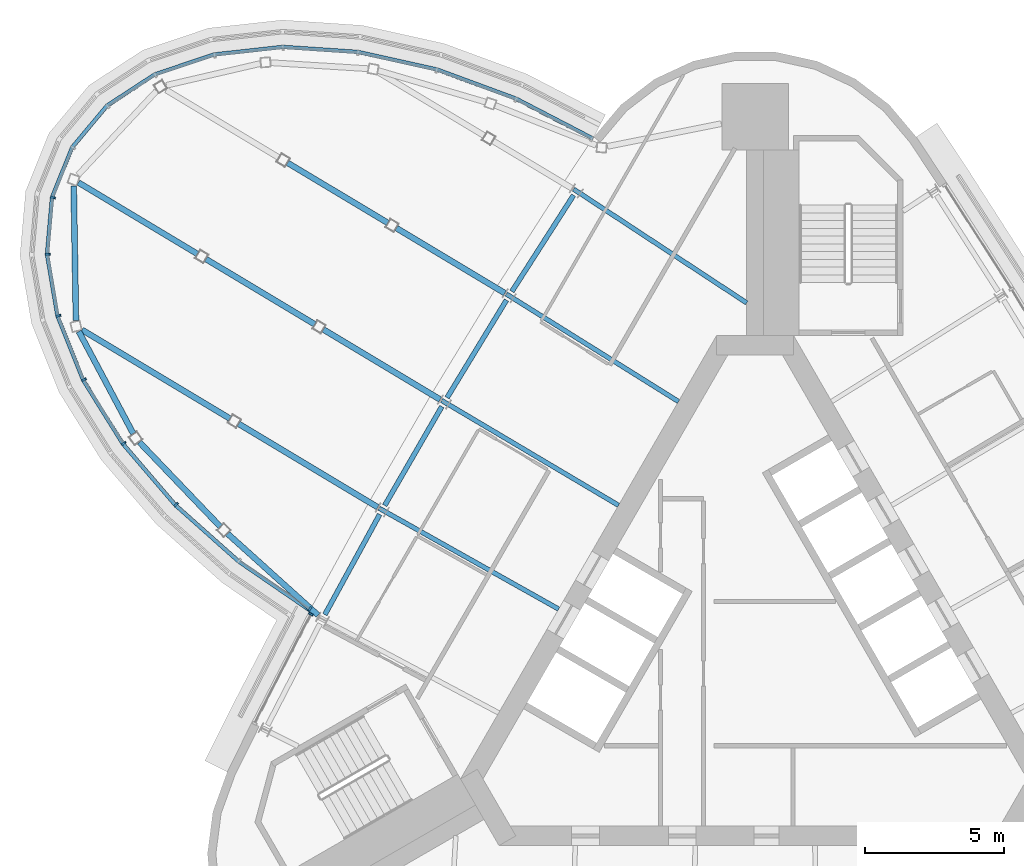
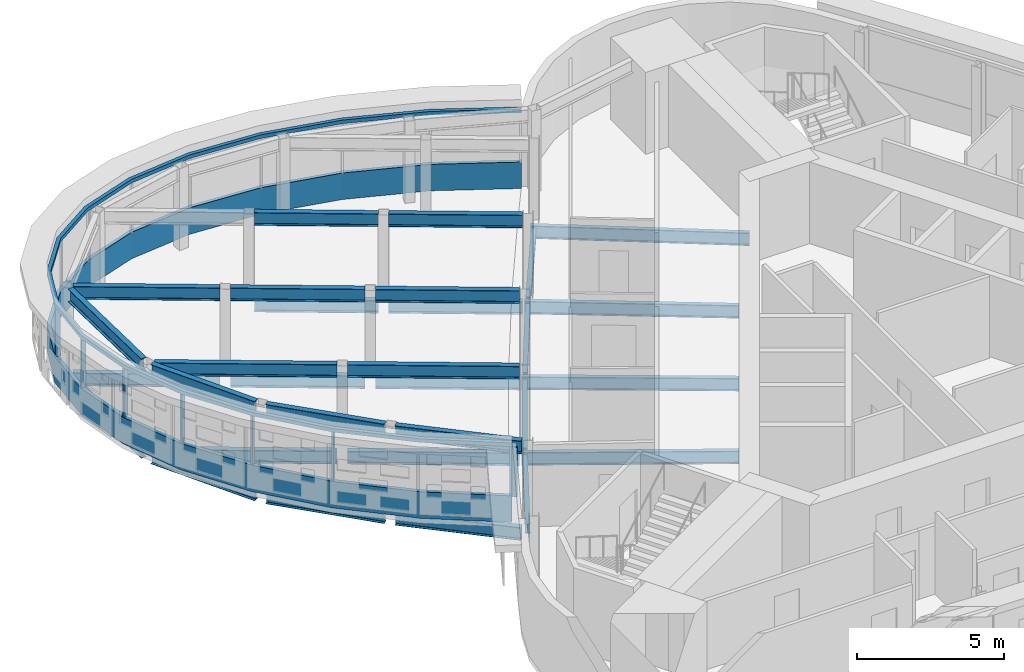
# One storey, part 5 of 13: 30 beams, 10 members, 2 elements without a shape of their own.
"""IFC4 building model written with IfcOpenShell, lengths in metres."""

from ifc_helpers import new_model, si_unit, direction, frame, origin, origin_2d, place, context, subcontext, project, spatial, polyline, rectangle, i_section, outline, extrude, material, material_profile, profile_set, type_object, element, aggregate, save


model = new_model("IFC4")

# Units and contexts
model_context = context("Model", 3, precision=1e-05, world=origin(), true_north=direction((0.0, 1.0)))
body_context = subcontext(model_context, "Body", "Model", "MODEL_VIEW")
ifc_project = project(units=[si_unit("LENGTHUNIT", "METRE"), si_unit("AREAUNIT", "SQUARE_METRE"), si_unit("VOLUMEUNIT", "CUBIC_METRE"), si_unit("PLANEANGLEUNIT", "RADIAN"), si_unit("MASSUNIT", "GRAM", prefix="KILO")], contexts=[model_context])

# Site, building, storey
site_placement = place(None, origin())
site = spatial("IfcSite", under=ifc_project, at=site_placement, CompositionType="ELEMENT")
building_placement = place(site_placement, origin())
building = spatial("IfcBuilding", under=site, at=building_placement, Name="Noor Cloister Tower", CompositionType="ELEMENT")
storey_placement = place(building_placement, frame((0.0, 0.0, 270.60009765625)))
storey = spatial("IfcBuildingStorey", under=building, at=storey_placement, Name="L69", CompositionType="ELEMENT", Elevation=270.60009765625)

# Curtain wall, member
ifc_material_1 = material(Name="Aluminium 6063-T6 anodised", Category="aluminium")
curtain_wall_type_1 = type_object("IfcCurtainWallType", Name="Sky bar curtain wall, upper bars CW6", PredefinedType="NOTDEFINED", material=ifc_material_1)
curtain_wall_1_placement = place(storey_placement, origin())
curtain_wall_1 = element("IfcCurtainWall", 1, at=curtain_wall_1_placement, inside=storey, type_object=curtain_wall_type_1, Name="CW6 L69 NW sky bar run 1", PredefinedType="NOTDEFINED")
ifc_material_2 = material(Name="Aluminium 6063-T6 anodised", Category="aluminium")
member_type_1 = type_object("IfcMemberType", Name="Head transom CW6 150", PredefinedType="USERDEFINED", material=ifc_material_2)
member_1_placement = place(storey_placement, frame((0.0, 0.0, 3.14990234375)))
member_1 = element("IfcMember", 2, at=member_1_placement, type_object=member_type_1, Name="CW6 head transom", ObjectType="TRANSOM", PredefinedType="USERDEFINED", context=body_context, shape_type="SweptSolid", body=[
    extrude(outline(polyline([(-5.809814453125, 18.609619140625), (-8.585205078125, 20.05078125), (-11.451416015625, 21.107421875), (-14.298095703125, 21.7392578125), (-17.015869140625, 21.921875), (-19.500244140625, 21.6484375), (-21.65576171875, 20.928955078125), (-23.399658203125, 19.79150390625), (-24.6650390625, 18.27978515625), (-25.403076171875, 16.45166015625), (-25.58544921875, 14.377685546875), (-25.205078125, 12.13720703125), (-24.276611328125, 9.816650390625), (-22.8359375, 7.5048828125), (-20.938232421875, 5.291015625), (-18.65625, 3.260009765625), (-16.078125, 1.489990234375), (-15.9990234375, 1.60546875), (-18.56982421875, 3.37060546875), (-20.838134765625, 5.389404296875), (-22.72265625, 7.588134765625), (-24.1513671875, 9.880126953125), (-25.069580078125, 12.17529296875), (-25.4443359375, 14.38330078125), (-25.265380859375, 16.418701171875), (-24.54345703125, 18.206787109375), (-23.305908203125, 19.685791015625), (-21.594482421875, 20.802001953125), (-19.469970703125, 21.5107421875), (-17.012939453125, 21.781494140625), (-14.318115234375, 21.600341796875), (-11.490966796875, 20.972900390625), (-8.64208984375, 19.92236328125), (-5.874267578125, 18.4853515625), (-5.809814453125, 18.609619140625)])), origin(), (0.0, 0.0, 1.0), 0.14990234375),
])

ifc_material_3 = material(Name="Aluminium 6063-T6 anodised", Category="aluminium")
curtain_wall_type_2 = type_object("IfcCurtainWallType", Name="Ribbon curtain wall, upper tower CW5", PredefinedType="NOTDEFINED", material=ifc_material_3)
curtain_wall_2_placement = place(storey_placement, origin())
curtain_wall_2 = element("IfcCurtainWall", 3, at=curtain_wall_2_placement, inside=storey, type_object=curtain_wall_type_2, Name="CW5 L69 NW run 2", PredefinedType="NOTDEFINED")
ifc_material_4 = material(Name="Aluminium 6063-T6 anodised", Category="aluminium")
ifc_material_profile_1 = material_profile(ifc_material_4, rectangle(XDim=0.179931640625, YDim=0.070068359375, at=origin_2d()), Name="180 x 70 mullion")
ifc_profile_set_1 = profile_set([ifc_material_profile_1], Name="Aluminium 6063-T6 anodised")
member_type_2 = type_object("IfcMemberType", Name="Mullion CW5 70 x 180", PredefinedType="MULLION", material=ifc_profile_set_1)
member_2_placement = place(storey_placement, frame((-16.00537109375, 1.4130859375, 1.099853515625), z_axis=(0.0, 0.0, 1.0), x_axis=(0.888277980529, -0.459306247842, 0.0)))
member_2 = element("IfcMember", 4, at=member_2_placement, type_object=member_type_2, Name="CW5 mullion 1", PredefinedType="MULLION", context=body_context, shape_type="SweptSolid", body=[
    extrude(rectangle(XDim=0.179931640625, YDim=0.070068359375, at=origin_2d()), origin(), (0.0, 0.0, 1.0), 2.050048828125),
])
aggregate(curtain_wall_2, [member_2])

# Member
ifc_material_5 = material(Name="Aluminium 6063-T6 anodised", Category="aluminium")
ifc_material_profile_2 = material_profile(ifc_material_5, rectangle(XDim=0.179931640625, YDim=0.070068359375, at=origin_2d()), Name="180 x 70 mullion")
ifc_profile_set_2 = profile_set([ifc_material_profile_2], Name="Aluminium 6063-T6 anodised")
member_type_3 = type_object("IfcMemberType", Name="Mullion CW6 70 x 180", PredefinedType="MULLION", material=ifc_profile_set_2)
member_3_placement = place(storey_placement, frame((-25.3046875, 16.42822265625, 1.099853515625), z_axis=(0.0, 0.0, 1.0), x_axis=(0.972354362217, -0.233510158832, 0.0)))
member_3 = element("IfcMember", 5, at=member_3_placement, type_object=member_type_3, Name="CW6 mullion 10", PredefinedType="MULLION", context=body_context, shape_type="SweptSolid", body=[
    extrude(rectangle(XDim=0.179931640625, YDim=0.070068359375, at=origin_2d()), origin(), (0.0, 0.0, 1.0), 2.050048828125),
])

member_4_placement = place(storey_placement, frame((-25.484619140625, 14.381591796875, 1.099853515625), z_axis=(0.0, 0.0, 1.0), x_axis=(0.999190597813, 0.040226225795, 0.0)))
member_4 = element("IfcMember", 6, at=member_4_placement, type_object=member_type_3, Name="CW6 mullion 11", PredefinedType="MULLION", context=body_context, shape_type="SweptSolid", body=[
    extrude(rectangle(XDim=0.179931640625, YDim=0.070068359375, at=origin_2d()), origin(), (0.0, 0.0, 1.0), 2.050048828125),
])

member_5_placement = place(storey_placement, frame((-25.108154296875, 12.16455078125, 1.099853515625), z_axis=(0.0, 0.0, 1.0), x_axis=(0.962599996662, 0.270926643995, 0.0)))
member_5 = element("IfcMember", 7, at=member_5_placement, type_object=member_type_3, Name="CW6 mullion 12", PredefinedType="MULLION", context=body_context, shape_type="SweptSolid", body=[
    extrude(rectangle(XDim=0.179931640625, YDim=0.070068359375, at=origin_2d()), origin(), (0.0, 0.0, 1.0), 2.050048828125),
])

member_6_placement = place(storey_placement, frame((-24.18701171875, 9.862060546875, 1.099853515625), z_axis=(0.0, 0.0, 1.0), x_axis=(0.892044508873, 0.451947556902, 0.0)))
member_6 = element("IfcMember", 8, at=member_6_placement, type_object=member_type_3, Name="CW6 mullion 13", PredefinedType="MULLION", context=body_context, shape_type="SweptSolid", body=[
    extrude(rectangle(XDim=0.179931640625, YDim=0.070068359375, at=origin_2d()), origin(), (0.0, 0.0, 1.0), 2.050048828125),
])

member_7_placement = place(storey_placement, frame((-22.755126953125, 7.564208984375, 1.099853515625), z_axis=(0.0, 0.0, 1.0), x_axis=(0.806254638187, 0.591568642173, 0.0)))
member_7 = element("IfcMember", 9, at=member_7_placement, type_object=member_type_3, Name="CW6 mullion 14", PredefinedType="MULLION", context=body_context, shape_type="SweptSolid", body=[
    extrude(rectangle(XDim=0.179931640625, YDim=0.070068359375, at=origin_2d()), origin(), (0.0, 0.0, 1.0), 2.050048828125),
])

member_8_placement = place(storey_placement, frame((-20.86669921875, 5.361328125, 1.099853515625), z_axis=(0.0, 0.0, 1.0), x_axis=(0.713665786899, 0.700486362901, 0.0)))
member_8 = element("IfcMember", 10, at=member_8_placement, type_object=member_type_3, Name="CW6 mullion 15", PredefinedType="MULLION", context=body_context, shape_type="SweptSolid", body=[
    extrude(rectangle(XDim=0.179931640625, YDim=0.070068359375, at=origin_2d()), origin(), (0.0, 0.0, 1.0), 2.050048828125),
])

member_9_placement = place(storey_placement, frame((-16.05029296875, 1.59228515625, 1.099853515625), z_axis=(0.0, 0.0, 1.0), x_axis=(0.565996619473, 0.824407561067, 0.0)))
member_9 = element("IfcMember", 11, at=member_9_placement, type_object=member_type_3, Name="CW6 mullion 17", PredefinedType="MULLION", context=body_context, shape_type="SweptSolid", body=[
    extrude(rectangle(XDim=0.179931640625, YDim=0.070068359375, at=origin_2d()), origin(), (0.0, 0.0, 1.0), 2.050048828125),
])

# Beams
ifc_material_6 = material(Name="Steel ASTM A992 Gr 50", Category="steel")
ifc_material_profile_3 = material_profile(ifc_material_6, i_section(OverallWidth=0.208984375, OverallDepth=0.532958984375, WebThickness=0.01025390625, FlangeThickness=0.015625, FilletRadius=0.0126953125, at=origin_2d()), Name="W530x92")
ifc_profile_set_3 = profile_set([ifc_material_profile_3], Name="Steel ASTM A992 Gr 50")
beam_type_1 = type_object("IfcBeamType", Name="Pod floor beam W530x92", PredefinedType="BEAM", material=ifc_profile_set_3)
beam_1_placement = place(storey_placement, frame((-9.01953125, 12.9814453125, -0.466552734375), z_axis=(-0.857549673653, 0.514401163701, 0.0), x_axis=(-0.514401163701, -0.857549673653, 0.0)))
element("IfcBeam", 12, at=beam_1_placement, inside=storey, type_object=beam_type_1, Name="Pod floor beam 5 L69 line 2 span 1", PredefinedType="BEAM", context=body_context, shape_type="SweptSolid", body=[
    extrude(i_section(OverallWidth=0.208984375, OverallDepth=0.532958984375, WebThickness=0.01025390625, FlangeThickness=0.015625, FilletRadius=0.0126953125, at=origin_2d()), origin(), (0.0, 0.0, 1.0), 4.554931640625),
])
beam_2_placement = place(storey_placement, frame((-13.23095703125, 15.507568359375, -0.466552734375), z_axis=(-0.857564335518, 0.51437672036, 0.0), x_axis=(-0.51437672036, -0.857564335518, 0.0)))
element("IfcBeam", 13, at=beam_2_placement, inside=storey, type_object=beam_type_1, Name="Pod floor beam 5 L69 line 2 span 2", PredefinedType="BEAM", context=body_context, shape_type="SweptSolid", body=[
    extrude(i_section(OverallWidth=0.208984375, OverallDepth=0.532958984375, WebThickness=0.01025390625, FlangeThickness=0.015625, FilletRadius=0.0126953125, at=origin_2d()), origin(), (0.0, 0.0, 1.0), 4.222900390625),
])
beam_3_placement = place(storey_placement, frame((-11.351318359375, 9.14794921875, -0.466552734375), z_axis=(-0.857571937762, 0.514364045752, 0.0), x_axis=(-0.514364045752, -0.857571937762, 0.0)))
element("IfcBeam", 14, at=beam_3_placement, inside=storey, type_object=beam_type_1, Name="Pod floor beam 5 L69 line 3 span 1", PredefinedType="BEAM", context=body_context, shape_type="SweptSolid", body=[
    extrude(i_section(OverallWidth=0.208984375, OverallDepth=0.532958984375, WebThickness=0.01025390625, FlangeThickness=0.015625, FilletRadius=0.0126953125, at=origin_2d()), origin(), (0.0, 0.0, 1.0), 4.906982421875),
])
beam_4_placement = place(storey_placement, frame((-15.864501953125, 11.85498046875, -0.466552734375), z_axis=(-0.857572942676, 0.514362370309, 0.0), x_axis=(-0.514362370309, -0.857572942676, 0.0)))
element("IfcBeam", 15, at=beam_4_placement, inside=storey, type_object=beam_type_1, Name="Pod floor beam 5 L69 line 3 span 2", PredefinedType="BEAM", context=body_context, shape_type="SweptSolid", body=[
    extrude(i_section(OverallWidth=0.208984375, OverallDepth=0.532958984375, WebThickness=0.01025390625, FlangeThickness=0.015625, FilletRadius=0.0126953125, at=origin_2d()), origin(), (0.0, 0.0, 1.0), 4.576171875),
])
beam_5_placement = place(storey_placement, frame((-20.093994140625, 14.391845703125, -0.466552734375), z_axis=(-0.857578998732, 0.514352273187, 0.0), x_axis=(-0.514352273187, -0.857578998732, 0.0)))
element("IfcBeam", 16, at=beam_5_placement, inside=storey, type_object=beam_type_1, Name="Pod floor beam 5 L69 line 3 span 3", PredefinedType="BEAM", context=body_context, shape_type="SweptSolid", body=[
    extrude(i_section(OverallWidth=0.208984375, OverallDepth=0.532958984375, WebThickness=0.01025390625, FlangeThickness=0.015625, FilletRadius=0.0126953125, at=origin_2d()), origin(), (0.0, 0.0, 1.0), 5.0048828125),
])
beam_6_placement = place(storey_placement, frame((-13.59716796875, 5.26318359375, -0.466552734375), z_axis=(-0.857551827323, 0.514397573338, 0.0), x_axis=(-0.514397573338, -0.857551827323, 0.0)))
element("IfcBeam", 17, at=beam_6_placement, inside=storey, type_object=beam_type_1, Name="Pod floor beam 5 L69 line 4 span 1", PredefinedType="BEAM", context=body_context, shape_type="SweptSolid", body=[
    extrude(i_section(OverallWidth=0.208984375, OverallDepth=0.532958984375, WebThickness=0.01025390625, FlangeThickness=0.015625, FilletRadius=0.0126953125, at=origin_2d()), origin(), (0.0, 0.0, 1.0), 5.85107421875),
])
beam_7_placement = place(storey_placement, frame((-18.920166015625, 8.4560546875, -0.466552734375), z_axis=(-0.857565617826, 0.5143745825, 0.0), x_axis=(-0.5143745825, -0.857565617826, 0.0)))
element("IfcBeam", 18, at=beam_7_placement, inside=storey, type_object=beam_type_1, Name="Pod floor beam 5 L69 line 4 span 2", PredefinedType="BEAM", context=body_context, shape_type="SweptSolid", body=[
    extrude(i_section(OverallWidth=0.208984375, OverallDepth=0.532958984375, WebThickness=0.01025390625, FlangeThickness=0.015625, FilletRadius=0.0126953125, at=origin_2d()), origin(), (0.0, 0.0, 1.0), 6.222412109375),
])
beam_8_placement = place(storey_placement, frame((-24.556396484375, 16.841796875, -0.466552734375), z_axis=(0.016659320704, -0.999861223887, 0.0), x_axis=(0.999861223887, 0.016659320704, 0.0)))
element("IfcBeam", 19, at=beam_8_placement, inside=storey, type_object=beam_type_1, Name="Pod floor beam 5 L69 ring 7", PredefinedType="BEAM", context=body_context, shape_type="SweptSolid", body=[
    extrude(i_section(OverallWidth=0.208984375, OverallDepth=0.532958984375, WebThickness=0.01025390625, FlangeThickness=0.015625, FilletRadius=0.0126953125, at=origin_2d()), origin(), (0.0, 0.0, 1.0), 4.850830078125),
])
beam_9_placement = place(storey_placement, frame((-24.372802734375, 11.599853515625, -0.466552734375), z_axis=(0.47044245318, -0.88243067617, 0.0), x_axis=(0.88243067617, 0.47044245318, 0.0)))
element("IfcBeam", 20, at=beam_9_placement, inside=storey, type_object=beam_type_1, Name="Pod floor beam 5 L69 ring 8", PredefinedType="BEAM", context=body_context, shape_type="SweptSolid", body=[
    extrude(i_section(OverallWidth=0.208984375, OverallDepth=0.532958984375, WebThickness=0.01025390625, FlangeThickness=0.015625, FilletRadius=0.0126953125, at=origin_2d()), origin(), (0.0, 0.0, 1.0), 4.17236328125),
])
beam_10_placement = place(storey_placement, frame((-22.1845703125, 7.6064453125, -0.466552734375), z_axis=(0.691487185943, -0.722388726155, 0.0), x_axis=(0.722388726155, 0.691487185943, 0.0)))
element("IfcBeam", 21, at=beam_10_placement, inside=storey, type_object=beam_type_1, Name="Pod floor beam 5 L69 ring 9", PredefinedType="BEAM", context=body_context, shape_type="SweptSolid", body=[
    extrude(i_section(OverallWidth=0.208984375, OverallDepth=0.532958984375, WebThickness=0.01025390625, FlangeThickness=0.015625, FilletRadius=0.0126953125, at=origin_2d()), origin(), (0.0, 0.0, 1.0), 4.2109375),
])
beam_11_placement = place(storey_placement, frame((-19.011474609375, 4.311279296875, -0.466552734375), z_axis=(0.743047947636, -0.669238184441, 0.0), x_axis=(0.669238184441, 0.743047947636, 0.0)))
element("IfcBeam", 22, at=beam_11_placement, inside=storey, type_object=beam_type_1, Name="Pod floor beam 5 L69 ring 10", PredefinedType="BEAM", context=body_context, shape_type="SweptSolid", body=[
    extrude(i_section(OverallWidth=0.208984375, OverallDepth=0.532958984375, WebThickness=0.01025390625, FlangeThickness=0.015625, FilletRadius=0.0126953125, at=origin_2d()), origin(), (0.0, 0.0, 1.0), 4.389404296875),
])
beam_12_placement = place(storey_placement, frame((-9.01953125, 12.9814453125, 3.13330078125), z_axis=(-0.857549673653, 0.514401163701, 0.0), x_axis=(-0.514401163701, -0.857549673653, 0.0)))
element("IfcBeam", 23, at=beam_12_placement, inside=storey, type_object=beam_type_1, Name="Pod floor beam 5 L70 line 2 span 1", PredefinedType="BEAM", context=body_context, shape_type="SweptSolid", body=[
    extrude(i_section(OverallWidth=0.208984375, OverallDepth=0.532958984375, WebThickness=0.01025390625, FlangeThickness=0.015625, FilletRadius=0.0126953125, at=origin_2d()), origin(), (0.0, 0.0, 1.0), 4.554931640625),
])
beam_13_placement = place(storey_placement, frame((-13.23095703125, 15.507568359375, 3.13330078125), z_axis=(-0.857564335518, 0.51437672036, 0.0), x_axis=(-0.51437672036, -0.857564335518, 0.0)))
element("IfcBeam", 24, at=beam_13_placement, inside=storey, type_object=beam_type_1, Name="Pod floor beam 5 L70 line 2 span 2", PredefinedType="BEAM", context=body_context, shape_type="SweptSolid", body=[
    extrude(i_section(OverallWidth=0.208984375, OverallDepth=0.532958984375, WebThickness=0.01025390625, FlangeThickness=0.015625, FilletRadius=0.0126953125, at=origin_2d()), origin(), (0.0, 0.0, 1.0), 4.222900390625),
])
beam_14_placement = place(storey_placement, frame((-11.351318359375, 9.14794921875, 3.13330078125), z_axis=(-0.857571937762, 0.514364045752, 0.0), x_axis=(-0.514364045752, -0.857571937762, 0.0)))
element("IfcBeam", 25, at=beam_14_placement, inside=storey, type_object=beam_type_1, Name="Pod floor beam 5 L70 line 3 span 1", PredefinedType="BEAM", context=body_context, shape_type="SweptSolid", body=[
    extrude(i_section(OverallWidth=0.208984375, OverallDepth=0.532958984375, WebThickness=0.01025390625, FlangeThickness=0.015625, FilletRadius=0.0126953125, at=origin_2d()), origin(), (0.0, 0.0, 1.0), 4.906982421875),
])
beam_15_placement = place(storey_placement, frame((-15.864501953125, 11.85498046875, 3.13330078125), z_axis=(-0.857572942676, 0.514362370309, 0.0), x_axis=(-0.514362370309, -0.857572942676, 0.0)))
element("IfcBeam", 26, at=beam_15_placement, inside=storey, type_object=beam_type_1, Name="Pod floor beam 5 L70 line 3 span 2", PredefinedType="BEAM", context=body_context, shape_type="SweptSolid", body=[
    extrude(i_section(OverallWidth=0.208984375, OverallDepth=0.532958984375, WebThickness=0.01025390625, FlangeThickness=0.015625, FilletRadius=0.0126953125, at=origin_2d()), origin(), (0.0, 0.0, 1.0), 4.576171875),
])
beam_16_placement = place(storey_placement, frame((-20.093994140625, 14.391845703125, 3.13330078125), z_axis=(-0.857578998732, 0.514352273187, 0.0), x_axis=(-0.514352273187, -0.857578998732, 0.0)))
element("IfcBeam", 27, at=beam_16_placement, inside=storey, type_object=beam_type_1, Name="Pod floor beam 5 L70 line 3 span 3", PredefinedType="BEAM", context=body_context, shape_type="SweptSolid", body=[
    extrude(i_section(OverallWidth=0.208984375, OverallDepth=0.532958984375, WebThickness=0.01025390625, FlangeThickness=0.015625, FilletRadius=0.0126953125, at=origin_2d()), origin(), (0.0, 0.0, 1.0), 5.0048828125),
])
beam_17_placement = place(storey_placement, frame((-13.59716796875, 5.26318359375, 3.13330078125), z_axis=(-0.857551827323, 0.514397573338, 0.0), x_axis=(-0.514397573338, -0.857551827323, 0.0)))
element("IfcBeam", 28, at=beam_17_placement, inside=storey, type_object=beam_type_1, Name="Pod floor beam 5 L70 line 4 span 1", PredefinedType="BEAM", context=body_context, shape_type="SweptSolid", body=[
    extrude(i_section(OverallWidth=0.208984375, OverallDepth=0.532958984375, WebThickness=0.01025390625, FlangeThickness=0.015625, FilletRadius=0.0126953125, at=origin_2d()), origin(), (0.0, 0.0, 1.0), 5.85107421875),
])
beam_18_placement = place(storey_placement, frame((-18.920166015625, 8.4560546875, 3.13330078125), z_axis=(-0.857565617826, 0.5143745825, 0.0), x_axis=(-0.5143745825, -0.857565617826, 0.0)))
element("IfcBeam", 29, at=beam_18_placement, inside=storey, type_object=beam_type_1, Name="Pod floor beam 5 L70 line 4 span 2", PredefinedType="BEAM", context=body_context, shape_type="SweptSolid", body=[
    extrude(i_section(OverallWidth=0.208984375, OverallDepth=0.532958984375, WebThickness=0.01025390625, FlangeThickness=0.015625, FilletRadius=0.0126953125, at=origin_2d()), origin(), (0.0, 0.0, 1.0), 6.222412109375),
])
beam_19_placement = place(storey_placement, frame((-24.556396484375, 16.841796875, 3.13330078125), z_axis=(0.016659320704, -0.999861223887, 0.0), x_axis=(0.999861223887, 0.016659320704, 0.0)))
element("IfcBeam", 30, at=beam_19_placement, inside=storey, type_object=beam_type_1, Name="Pod floor beam 5 L70 ring 7", PredefinedType="BEAM", context=body_context, shape_type="SweptSolid", body=[
    extrude(i_section(OverallWidth=0.208984375, OverallDepth=0.532958984375, WebThickness=0.01025390625, FlangeThickness=0.015625, FilletRadius=0.0126953125, at=origin_2d()), origin(), (0.0, 0.0, 1.0), 4.850830078125),
])
beam_20_placement = place(storey_placement, frame((-24.372802734375, 11.599853515625, 3.13330078125), z_axis=(0.47044245318, -0.88243067617, 0.0), x_axis=(0.88243067617, 0.47044245318, 0.0)))
element("IfcBeam", 31, at=beam_20_placement, inside=storey, type_object=beam_type_1, Name="Pod floor beam 5 L70 ring 8", PredefinedType="BEAM", context=body_context, shape_type="SweptSolid", body=[
    extrude(i_section(OverallWidth=0.208984375, OverallDepth=0.532958984375, WebThickness=0.01025390625, FlangeThickness=0.015625, FilletRadius=0.0126953125, at=origin_2d()), origin(), (0.0, 0.0, 1.0), 4.17236328125),
])
beam_21_placement = place(storey_placement, frame((-22.1845703125, 7.6064453125, 3.13330078125), z_axis=(0.691487185943, -0.722388726155, 0.0), x_axis=(0.722388726155, 0.691487185943, 0.0)))
element("IfcBeam", 32, at=beam_21_placement, inside=storey, type_object=beam_type_1, Name="Pod floor beam 5 L70 ring 9", PredefinedType="BEAM", context=body_context, shape_type="SweptSolid", body=[
    extrude(i_section(OverallWidth=0.208984375, OverallDepth=0.532958984375, WebThickness=0.01025390625, FlangeThickness=0.015625, FilletRadius=0.0126953125, at=origin_2d()), origin(), (0.0, 0.0, 1.0), 4.2109375),
])
beam_22_placement = place(storey_placement, frame((-19.011474609375, 4.311279296875, 3.13330078125), z_axis=(0.743047947636, -0.669238184441, 0.0), x_axis=(0.669238184441, 0.743047947636, 0.0)))
element("IfcBeam", 33, at=beam_22_placement, inside=storey, type_object=beam_type_1, Name="Pod floor beam 5 L70 ring 10", PredefinedType="BEAM", context=body_context, shape_type="SweptSolid", body=[
    extrude(i_section(OverallWidth=0.208984375, OverallDepth=0.532958984375, WebThickness=0.01025390625, FlangeThickness=0.015625, FilletRadius=0.0126953125, at=origin_2d()), origin(), (0.0, 0.0, 1.0), 4.389404296875),
])
ifc_material_7 = material(Name="Steel ASTM A992 Gr 50", Category="steel")
ifc_material_profile_4 = material_profile(ifc_material_7, i_section(OverallWidth=0.166015625, OverallDepth=0.528076171875, WebThickness=0.009765625, FlangeThickness=0.013671875, FilletRadius=0.0126953125, at=origin_2d()), Name="W530x74")
ifc_profile_set_4 = profile_set([ifc_material_profile_4], Name="Steel ASTM A992 Gr 50")
beam_type_2 = type_object("IfcBeamType", Name="Radial beam W530x74", PredefinedType="BEAM", material=ifc_profile_set_4)
beam_23_placement = place(storey_placement, frame((-6.54150390625, 16.73095703125, -0.464111328125), z_axis=(0.835598314328, -0.549340929744, 0.0), x_axis=(0.549340929744, 0.835598314328, 0.0)))
element("IfcBeam", 34, at=beam_23_placement, inside=storey, type_object=beam_type_2, Name="Radial beam NW 01 L69", PredefinedType="BEAM", context=body_context, shape_type="SweptSolid", body=[
    extrude(i_section(OverallWidth=0.166015625, OverallDepth=0.528076171875, WebThickness=0.009765625, FlangeThickness=0.013671875, FilletRadius=0.0126953125, at=origin_2d()), origin(), (0.0, 0.0, 1.0), 7.469482421875),
])
beam_24_placement = place(storey_placement, frame((-8.96435546875, 12.950927734375, -0.464111328125), z_axis=(0.848101414082, -0.529833928163, 0.0), x_axis=(0.529833928163, 0.848101414082, 0.0)))
element("IfcBeam", 35, at=beam_24_placement, inside=storey, type_object=beam_type_2, Name="Radial beam NW 02 L69", PredefinedType="BEAM", context=body_context, shape_type="SweptSolid", body=[
    extrude(i_section(OverallWidth=0.166015625, OverallDepth=0.528076171875, WebThickness=0.009765625, FlangeThickness=0.013671875, FilletRadius=0.0126953125, at=origin_2d()), origin(), (0.0, 0.0, 1.0), 7.31494140625),
])
for number, where, z_axis, x_axis, name in (
    (36, (-11.298828125, 9.11572265625, -0.464111328125), (0.860162619342, -0.510019870482, 0.0), (0.510019870482, 0.860162619342, 0.0), "Radial beam NW 03 L69"),
    (37, (-13.5439453125, 5.227294921875, -0.464111328125), (0.871770669318, -0.489914176277, 0.0), (0.489914176277, 0.871770669318, 0.0), "Radial beam NW 04 L69"),
):
    element("IfcBeam", number, at=place(storey_placement, frame(where, z_axis=z_axis, x_axis=x_axis)), inside=storey, type_object=beam_type_2, Name=name, PredefinedType="BEAM", context=body_context, shape_type="SweptSolid", body=[
        extrude(i_section(OverallWidth=0.166015625, OverallDepth=0.528076171875, WebThickness=0.009765625, FlangeThickness=0.013671875, FilletRadius=0.0126953125, at=origin_2d()), origin(), (0.0, 0.0, 1.0), 7.415283203125),
    ])

# Member
ifc_material_8 = material(Name="Aluminium 6063-T6 anodised", Category="aluminium")
member_type_4 = type_object("IfcMemberType", Name="Sill transom CW6 1100", PredefinedType="USERDEFINED", material=ifc_material_8)
member_10_placement = place(storey_placement, origin())
member_10 = element("IfcMember", 38, at=member_10_placement, type_object=member_type_4, Name="CW6 sill transom", ObjectType="TRANSOM", PredefinedType="USERDEFINED", context=body_context, shape_type="SweptSolid", body=[
    extrude(outline(polyline([(-5.809814453125, 18.609619140625), (-8.585205078125, 20.05078125), (-11.451416015625, 21.107421875), (-14.298095703125, 21.7392578125), (-17.015869140625, 21.921875), (-19.500244140625, 21.6484375), (-21.65576171875, 20.928955078125), (-23.399658203125, 19.79150390625), (-24.6650390625, 18.27978515625), (-25.403076171875, 16.45166015625), (-25.58544921875, 14.377685546875), (-25.205078125, 12.13720703125), (-24.276611328125, 9.816650390625), (-22.8359375, 7.5048828125), (-20.938232421875, 5.291015625), (-18.65625, 3.260009765625), (-16.078125, 1.489990234375), (-15.9990234375, 1.60546875), (-18.56982421875, 3.37060546875), (-20.838134765625, 5.389404296875), (-22.72265625, 7.588134765625), (-24.1513671875, 9.880126953125), (-25.069580078125, 12.17529296875), (-25.4443359375, 14.38330078125), (-25.265380859375, 16.418701171875), (-24.54345703125, 18.206787109375), (-23.305908203125, 19.685791015625), (-21.594482421875, 20.802001953125), (-19.469970703125, 21.5107421875), (-17.012939453125, 21.781494140625), (-14.318115234375, 21.600341796875), (-11.490966796875, 20.972900390625), (-8.64208984375, 19.92236328125), (-5.874267578125, 18.4853515625), (-5.809814453125, 18.609619140625)])), origin(), (0.0, 0.0, 1.0), 1.099853515625),
])

aggregate(curtain_wall_1, [member_3, member_4, member_5, member_6, member_7, member_8, member_9, member_10, member_1])

# Beams
ifc_material_9 = material(Name="Steel ASTM A992 Gr 50", Category="steel")
ifc_material_profile_5 = material_profile(ifc_material_9, i_section(OverallWidth=0.177978515625, OverallDepth=0.406005859375, WebThickness=0.0078125, FlangeThickness=0.0126953125, FilletRadius=0.01025390625, at=origin_2d()), Name="W410x60")
ifc_profile_set_5 = profile_set([ifc_material_profile_5], Name="Steel ASTM A992 Gr 50")
beam_type_3 = type_object("IfcBeamType", Name="Spandrel beam W410x60", PredefinedType="SPANDREL", material=ifc_profile_set_5)
for number, where, z_axis, x_axis, name in (
    (39, (-6.541748046875, 16.50927734375, -0.403076171875), (-0.539635932385, -0.841898485851, 0.0), (0.841898485851, -0.539635932385, 0.0), "Spandrel beam NW 01 L69"),
    (40, (-8.95947265625, 12.729248046875, -0.403076171875), (-0.51992813058, -0.85421000874, 0.0), (0.85421000874, -0.51992813058, 0.0), "Spandrel beam NW 02 L69"),
    (41, (-11.288818359375, 8.89404296875, -0.403076171875), (-0.500004836318, -0.866022611517, 0.0), (0.866022611517, -0.500004836318, 0.0), "Spandrel beam NW 03 L69"),
    (42, (-13.52880859375, 5.006103515625, -0.403076171875), (-0.479770251557, -0.87739415642, 0.0), (0.87739415642, -0.479770251557, 0.0), "Spandrel beam NW 04 L69"),
):
    element("IfcBeam", number, at=place(storey_placement, frame(where, z_axis=z_axis, x_axis=x_axis)), inside=storey, type_object=beam_type_3, Name=name, PredefinedType="SPANDREL", context=body_context, shape_type="SweptSolid", body=[
        extrude(i_section(OverallWidth=0.177978515625, OverallDepth=0.406005859375, WebThickness=0.0078125, FlangeThickness=0.0126953125, FilletRadius=0.01025390625, at=origin_2d()), origin(), (0.0, 0.0, 1.0), 4.1162109375),
    ])

save(model, "model.ifc")
